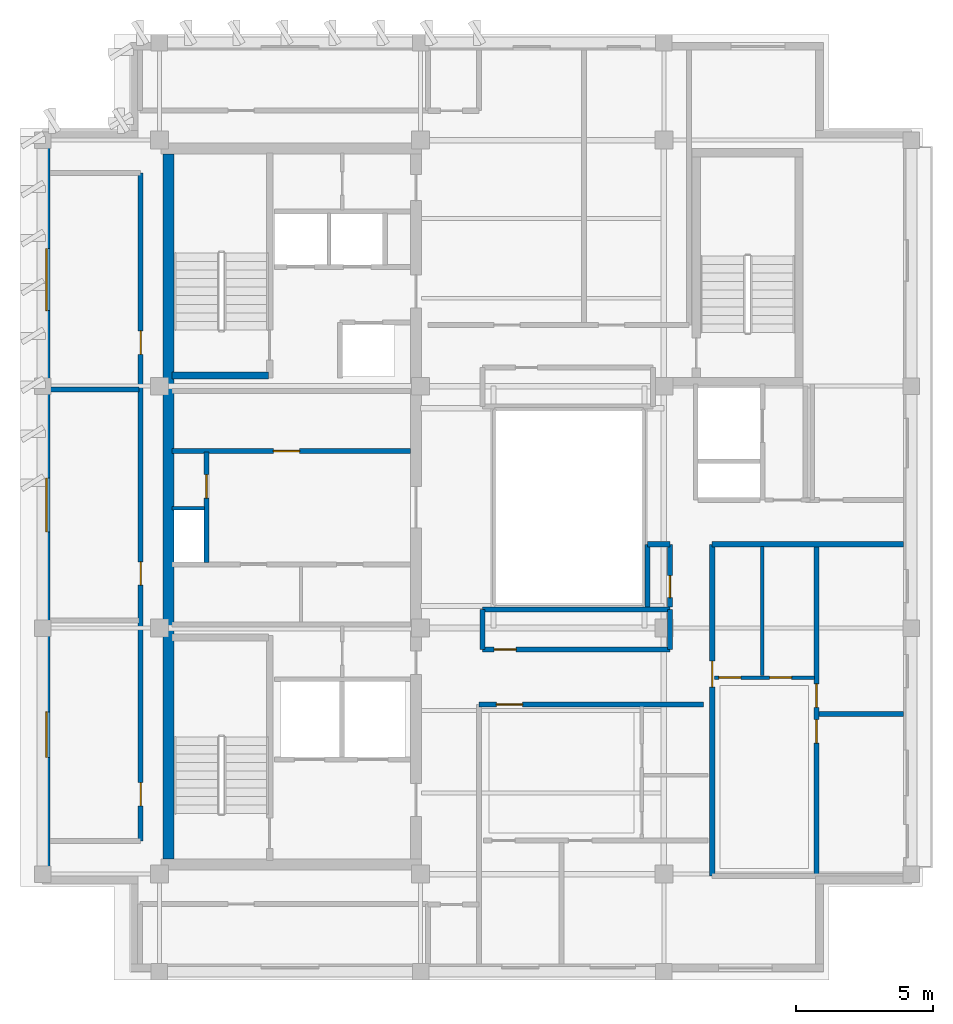
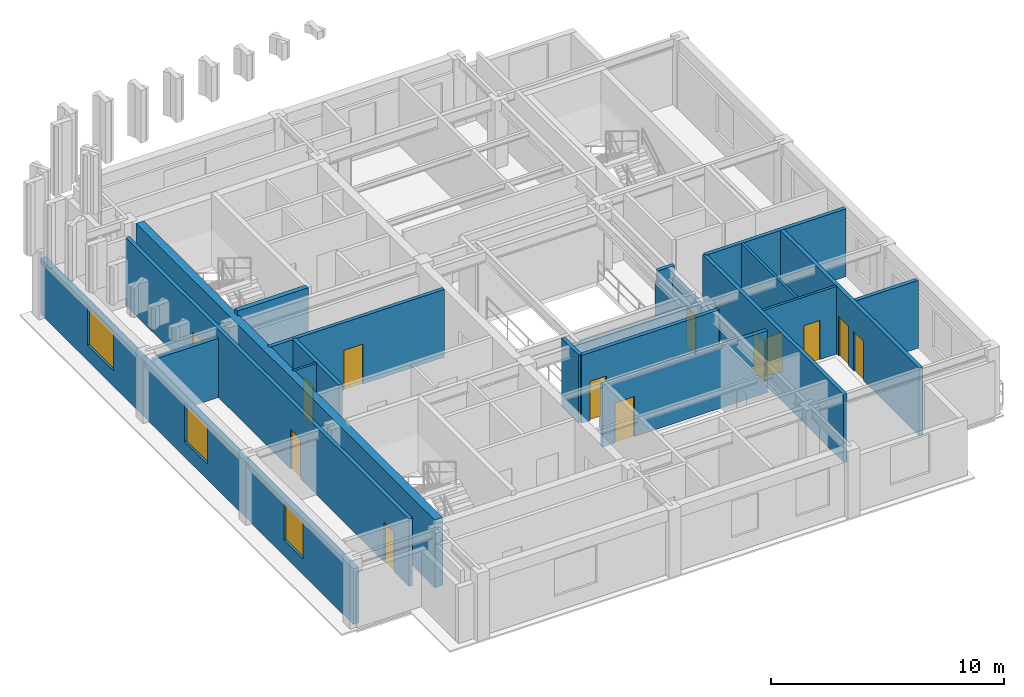
# One storey, part 3 of 9: 22 walls, 13 doors, 3 windows, 16 openings.
"""IFC4 building model written with IfcOpenShell, lengths in metres."""

from ifc_helpers import new_model, si_unit, direction, frame, frame_2d, origin, place, context, subcontext, project, spatial, rectangle, extrude, material, layer, layer_set, type_object, element, fill, save


model = new_model("IFC4")

# Units and contexts
model_context = context("Model", 3, precision=1e-05, world=origin(), true_north=direction((0.0, 1.0)))
body_context = subcontext(model_context, "Body", "Model", "MODEL_VIEW")
ifc_project = project(units=[si_unit("LENGTHUNIT", "METRE"), si_unit("AREAUNIT", "SQUARE_METRE"), si_unit("VOLUMEUNIT", "CUBIC_METRE"), si_unit("PLANEANGLEUNIT", "RADIAN"), si_unit("MASSUNIT", "GRAM", prefix="KILO")], contexts=[model_context])

# Site, building, storey
site_placement = place(None, origin())
site = spatial("IfcSite", under=ifc_project, at=site_placement, CompositionType="ELEMENT")
building_placement = place(site_placement, origin())
building = spatial("IfcBuilding", under=site, at=building_placement, Name="Kundavana Baori Tower", CompositionType="ELEMENT")
storey_placement = place(building_placement, frame((0.0, 0.0, 342.89990234375)))
storey = spatial("IfcBuildingStorey", under=building, at=storey_placement, Name="L85", CompositionType="ELEMENT", Elevation=342.89990234375)

# Walls
ifc_material_1 = material(Name="Concrete C50/60", Category="concrete")
ifc_layer_1 = layer(ifc_material_1, 0.39990234375, Name="WL-CORE-400")
ifc_layer_set_1 = layer_set([ifc_layer_1], Name="Concrete C50/60")
wall_type_1 = type_object("IfcWallType", Name="WL-CORE-400", PredefinedType="SHEAR", material=ifc_layer_set_1)
wall_1_placement = place(storey_placement, frame((15.7900390625, 15.81005859375, 0.0), z_axis=(0.0, 0.0, 1.0), x_axis=(0.0, 1.0, 0.0)))
element("IfcWall", 1, at=wall_1_placement, inside=storey, type_object=wall_type_1, Name="L85 Offset Core West Shear Wall", PredefinedType="SHEAR", context=body_context, shape_type="SweptSolid", body=[
    extrude(rectangle(XDim=25.6298828125, YDim=0.39990234375, at=frame_2d((12.81494140625, 0.0))), origin(), (0.0, 0.0, 1.0), 3.550048828125),
])
wall_2_placement = place(storey_placement, frame((15.89990234375, 33.389892578125, 0.0), z_axis=(0.0, 0.0, 1.0), x_axis=(1.0, 0.0, 0.0)))
element("IfcWall", 2, at=wall_2_placement, inside=storey, type_object=wall_type_1, Name="WL-L85-ST2-S", PredefinedType="SHEAR", context=body_context, shape_type="SweptSolid", body=[
    extrude(rectangle(XDim=3.52001953125, YDim=0.239990234375, at=frame_2d((1.760009765625, 0.0))), origin(), (0.0, 0.0, 1.0), 3.800048828125),
])

# Wall, openings, windows
ifc_material_2 = material(Name="Red-Buff Dholpur Sandstone Cladding on Concrete C40/50", Category="masonry")
ifc_layer_2 = layer(ifc_material_2, 0.280029296875, Name="WL-EXT-SAND-280")
ifc_layer_set_2 = layer_set([ifc_layer_2], Name="Red-Buff Dholpur Sandstone Cladding on Concrete C40/50")
wall_type_2 = type_object("IfcWallType", Name="WL-EXT-SAND-280", PredefinedType="STANDARD", material=ifc_layer_set_2)
wall_3_placement = place(storey_placement, frame((11.340087890625, 42.02001953125, 0.0), z_axis=(0.0, 0.0, 1.0), x_axis=(0.0, -1.0, 0.0)))
wall_3 = element("IfcWall", 3, at=wall_3_placement, inside=storey, type_object=wall_type_2, Name="L85 Exterior Insulated Facade Wall 10", PredefinedType="STANDARD", context=body_context, shape_type="SweptSolid", body=[
    extrude(rectangle(XDim=26.840087890625, YDim=0.280029296875, at=frame_2d((13.419921875, 0.0))), origin(), (0.0, 0.0, 1.0), 2.91015625),
])
opening_1_placement = place(wall_3_placement, frame((20.8701171875, 0.0, 0.800048828125)))
opening_1 = element("IfcOpeningElement", 4, at=opening_1_placement, cuts=wall_3, Name="Opening W-08", PredefinedType="OPENING", context=body_context, shape_type="SweptSolid", body=[
    extrude(rectangle(XDim=1.64990234375, YDim=1.949951171875, at=frame_2d((0.824951171875, 0.97509765625))), frame((0.0, 0.14990234375, 0.0), z_axis=(0.0, -1.0, 0.0), x_axis=(1.0, 0.0, 0.0)), (0.0, 0.0, 1.0), 0.300048828125),
])
opening_2_placement = place(wall_3_placement, frame((12.364990234375, 0.0, 0.800048828125)))
opening_2 = element("IfcOpeningElement", 5, at=opening_2_placement, cuts=wall_3, Name="Opening W-09", PredefinedType="OPENING", context=body_context, shape_type="SweptSolid", body=[
    extrude(rectangle(XDim=1.949951171875, YDim=2.0, at=frame_2d((0.97509765625, 1.0))), frame((0.0, 0.14990234375, 0.0), z_axis=(0.0, -1.0, 0.0), x_axis=(1.0, 0.0, 0.0)), (0.0, 0.0, 1.0), 0.300048828125),
])
opening_3_placement = place(wall_3_placement, frame((4.02001953125, 0.0, 0.800048828125)))
opening_3 = element("IfcOpeningElement", 6, at=opening_3_placement, cuts=wall_3, Name="Opening W-10", PredefinedType="OPENING", context=body_context, shape_type="SweptSolid", body=[
    extrude(rectangle(XDim=2.25, YDim=2.0, at=frame_2d((1.125, 1.0))), frame((0.0, 0.14990234375, 0.0), z_axis=(0.0, -1.0, 0.0), x_axis=(1.0, 0.0, 0.0)), (0.0, 0.0, 1.0), 0.300048828125),
])
ifc_material_3 = material(Name="Double-Glazed Solar-Control Low-E Insulated Glass", Category="glass")
window_type_1 = type_object("IfcWindowType", Name="WIN-LOG-1650x1950", PartitioningType="SINGLE_PANEL", PredefinedType="WINDOW", material=ifc_material_3)
window_1_placement = place(opening_1_placement, origin())
window_1 = element("IfcWindow", 7, at=window_1_placement, inside=storey, type_object=window_type_1, Name="L85 Recessed Loggia Window W-1", OverallHeight=1.949951171875, OverallWidth=1.64990234375, PartitioningType="SINGLE_PANEL", PredefinedType="WINDOW", context=body_context, shape_type="SweptSolid", body=[
    extrude(rectangle(XDim=1.64990234375, YDim=1.949951171875, at=frame_2d((0.824951171875, 0.97509765625))), frame((0.0, 0.030029296875, 0.0), z_axis=(0.0, -1.0, 0.0), x_axis=(1.0, 0.0, 0.0)), (0.0, 0.0, 1.0), 0.06005859375),
])
fill(opening_1, window_1)
ifc_material_4 = material(Name="Double-Glazed Solar-Control Low-E Insulated Glass", Category="glass")
window_type_2 = type_object("IfcWindowType", Name="WIN-LOG-1950x2000", PartitioningType="SINGLE_PANEL", PredefinedType="WINDOW", material=ifc_material_4)
window_2_placement = place(opening_2_placement, origin())
window_2 = element("IfcWindow", 8, at=window_2_placement, inside=storey, type_object=window_type_2, Name="L85 Recessed Loggia Window W-2", OverallHeight=2.0, OverallWidth=1.949951171875, PartitioningType="SINGLE_PANEL", PredefinedType="WINDOW", context=body_context, shape_type="SweptSolid", body=[
    extrude(rectangle(XDim=1.949951171875, YDim=2.0, at=frame_2d((0.97509765625, 1.0))), frame((0.0, 0.030029296875, 0.0), z_axis=(0.0, -1.0, 0.0), x_axis=(1.0, 0.0, 0.0)), (0.0, 0.0, 1.0), 0.06005859375),
])
fill(opening_2, window_2)
ifc_material_5 = material(Name="Double-Glazed Solar-Control Low-E Insulated Glass", Category="glass")
window_type_3 = type_object("IfcWindowType", Name="WIN-LOG-2250x2000", PartitioningType="SINGLE_PANEL", PredefinedType="WINDOW", material=ifc_material_5)
window_3_placement = place(opening_3_placement, origin())
window_3 = element("IfcWindow", 9, at=window_3_placement, inside=storey, type_object=window_type_3, Name="L85 Recessed Loggia Window W-3", OverallHeight=2.0, OverallWidth=2.25, PartitioningType="SINGLE_PANEL", PredefinedType="WINDOW", context=body_context, shape_type="SweptSolid", body=[
    extrude(rectangle(XDim=2.25, YDim=2.0, at=frame_2d((1.125, 1.0))), frame((0.0, 0.030029296875, 0.0), z_axis=(0.0, -1.0, 0.0), x_axis=(1.0, 0.0, 0.0)), (0.0, 0.0, 1.0), 0.06005859375),
])
fill(opening_3, window_3)

# Wall
ifc_material_6 = material(Name="Acoustic Gypsum Plasterboard on Galvanised Steel Studs", Category="steel")
ifc_layer_3 = layer(ifc_material_6, 0.1201171875, Name="WL-PART-120")
ifc_layer_set_3 = layer_set([ifc_layer_3], Name="Acoustic Gypsum Plasterboard on Galvanised Steel Studs")
wall_type_3 = type_object("IfcWallType", Name="WL-PART-120", PredefinedType="PARTITIONING", material=ifc_layer_set_3)
wall_4_placement = place(storey_placement, frame((15.89990234375, 28.56005859375, 0.0), z_axis=(0.0, 0.0, 1.0), x_axis=(1.0, 0.0, 0.0)))
element("IfcWall", 10, at=wall_4_placement, inside=storey, type_object=wall_type_3, Name="WL-L85-RSRW-N", PredefinedType="PARTITIONING", context=body_context, shape_type="SweptSolid", body=[
    extrude(rectangle(XDim=1.2001953125, YDim=0.1201171875, at=frame_2d((0.60009765625, 0.0))), origin(), (0.0, 0.0, 1.0), 3.550048828125),
])

# Wall, opening, door
ifc_material_7 = material(Name="Autoclaved Aerated Concrete Blockwork Masonry", Category="masonry")
ifc_layer_4 = layer(ifc_material_7, 0.18505859375, Name="WL-PART-180")
ifc_layer_set_4 = layer_set([ifc_layer_4], Name="Autoclaved Aerated Concrete Blockwork Masonry")
wall_type_4 = type_object("IfcWallType", Name="WL-PART-180", PredefinedType="SOLIDWALL", material=ifc_layer_set_4)
wall_5_placement = place(storey_placement, frame((27.080078125, 21.419921875, 0.0), z_axis=(0.0, 0.0, 1.0), x_axis=(1.0, 0.0, 0.0)))
wall_5 = element("IfcWall", 11, at=wall_5_placement, inside=storey, type_object=wall_type_4, Name="WL-L85-RS", PredefinedType="SOLIDWALL", context=body_context, shape_type="SweptSolid", body=[
    extrude(rectangle(XDim=8.169921875, YDim=0.18505859375, at=frame_2d((4.0849609375, 0.0))), origin(), (0.0, 0.0, 1.0), 3.25),
])
opening_4_placement = place(wall_5_placement, frame((0.6298828125, 0.0, 0.0)))
opening_4 = element("IfcOpeningElement", 12, at=opening_4_placement, cuts=wall_5, Name="Opening FD-095", PredefinedType="OPENING", context=body_context, shape_type="SweptSolid", body=[
    extrude(rectangle(XDim=0.949951171875, YDim=2.10009765625, at=frame_2d((0.47509765625, 1.050048828125))), frame((0.0, 0.1025390625, 0.0), z_axis=(0.0, -1.0, 0.0), x_axis=(1.0, 0.0, 0.0)), (0.0, 0.0, 1.0), 0.205078125),
])
ifc_material_8 = material(Name="Engineered Teak Fire-Rated Timber Door Leaf", Category="wood")
door_type_1 = type_object("IfcDoorType", Name="DR-FD60-950", OperationType="NOTDEFINED", PredefinedType="DOOR", material=ifc_material_8)
door_1_placement = place(opening_4_placement, frame((0.949951171875, 0.0, 0.0), z_axis=(0.0, 0.0, 1.0), x_axis=(-1.0, 0.0, 0.0)))
door_1 = element("IfcDoor", 13, at=door_1_placement, inside=storey, type_object=door_type_1, Name="DR-L85-S1-ENT", OperationType="SINGLE_SWING_RIGHT", OverallHeight=2.10009765625, OverallWidth=0.949951171875, PredefinedType="DOOR", context=body_context, shape_type="SweptSolid", body=[
    extrude(rectangle(XDim=0.949951171875, YDim=2.10009765625, at=frame_2d((0.47509765625, 1.050048828125))), frame((0.0, 0.02490234375, 0.0), z_axis=(0.0, -1.0, 0.0), x_axis=(1.0, 0.0, 0.0)), (0.0, 0.0, 1.0), 0.050048828125),
])
fill(opening_4, door_1)

# Wall, openings, doors
wall_6_placement = place(storey_placement, frame((14.77001953125, 16.449951171875, 0.0), z_axis=(0.0, 0.0, 1.0), x_axis=(0.0, 1.0, 0.0)))
wall_6 = element("IfcWall", 14, at=wall_6_placement, inside=storey, type_object=wall_type_4, Name="WL-L85-RW", PredefinedType="SOLIDWALL", context=body_context, shape_type="SweptSolid", body=[
    extrude(rectangle(XDim=24.300048828125, YDim=0.18505859375, at=frame_2d((12.14990234375, 0.0))), origin(), (0.0, 0.0, 1.0), 3.550048828125),
])
opening_5_placement = place(wall_6_placement, frame((1.280029296875, 0.0, 0.0)))
opening_5 = element("IfcOpeningElement", 15, at=opening_5_placement, cuts=wall_6, Name="Opening ID-085", PredefinedType="OPENING", context=body_context, shape_type="SweptSolid", body=[
    extrude(rectangle(XDim=0.85009765625, YDim=2.080078125, at=frame_2d((0.425048828125, 1.0400390625))), frame((0.0, 0.1025390625, 0.0), z_axis=(0.0, -1.0, 0.0), x_axis=(1.0, 0.0, 0.0)), (0.0, 0.0, 1.0), 0.205078125),
])
opening_6_placement = place(wall_6_placement, frame((9.31005859375, 0.0, 0.0)))
opening_6 = element("IfcOpeningElement", 16, at=opening_6_placement, cuts=wall_6, Name="Opening ID-085", PredefinedType="OPENING", context=body_context, shape_type="SweptSolid", body=[
    extrude(rectangle(XDim=0.85009765625, YDim=2.080078125, at=frame_2d((0.425048828125, 1.0400390625))), frame((0.0, 0.1025390625, 0.0), z_axis=(0.0, -1.0, 0.0), x_axis=(1.0, 0.0, 0.0)), (0.0, 0.0, 1.0), 0.205078125),
])
opening_7_placement = place(wall_6_placement, frame((17.7099609375, 0.0, 0.0)))
opening_7 = element("IfcOpeningElement", 17, at=opening_7_placement, cuts=wall_6, Name="Opening ID-085", PredefinedType="OPENING", context=body_context, shape_type="SweptSolid", body=[
    extrude(rectangle(XDim=0.85009765625, YDim=2.080078125, at=frame_2d((0.425048828125, 1.0400390625))), frame((0.0, 0.1025390625, 0.0), z_axis=(0.0, -1.0, 0.0), x_axis=(1.0, 0.0, 0.0)), (0.0, 0.0, 1.0), 0.205078125),
])
ifc_material_9 = material(Name="Engineered Teak Solid-Core Timber Veneer", Category="wood")
door_type_2 = type_object("IfcDoorType", Name="DR-INT-850", OperationType="NOTDEFINED", PredefinedType="DOOR", material=ifc_material_9)
door_2_placement = place(opening_5_placement, origin())
door_2 = element("IfcDoor", 18, at=door_2_placement, inside=storey, type_object=door_type_2, Name="DR-L85-RLNGW1", OperationType="SINGLE_SWING_LEFT", OverallHeight=2.080078125, OverallWidth=0.85009765625, PredefinedType="DOOR", context=body_context, shape_type="SweptSolid", body=[
    extrude(rectangle(XDim=0.85009765625, YDim=2.080078125, at=frame_2d((0.425048828125, 1.0400390625))), frame((0.0, 0.02490234375, 0.0), z_axis=(0.0, -1.0, 0.0), x_axis=(1.0, 0.0, 0.0)), (0.0, 0.0, 1.0), 0.050048828125),
])
fill(opening_5, door_2)
door_3_placement = place(opening_6_placement, origin())
door_3 = element("IfcDoor", 19, at=door_3_placement, inside=storey, type_object=door_type_2, Name="DR-L85-RLNGW2", OperationType="SINGLE_SWING_LEFT", OverallHeight=2.080078125, OverallWidth=0.85009765625, PredefinedType="DOOR", context=body_context, shape_type="SweptSolid", body=[
    extrude(rectangle(XDim=0.85009765625, YDim=2.080078125, at=frame_2d((0.425048828125, 1.0400390625))), frame((0.0, 0.02490234375, 0.0), z_axis=(0.0, -1.0, 0.0), x_axis=(1.0, 0.0, 0.0)), (0.0, 0.0, 1.0), 0.050048828125),
])
fill(opening_6, door_3)
door_4_placement = place(opening_7_placement, origin())
door_4 = element("IfcDoor", 20, at=door_4_placement, inside=storey, type_object=door_type_2, Name="DR-L85-RLNGW3", OperationType="SINGLE_SWING_LEFT", OverallHeight=2.080078125, OverallWidth=0.85009765625, PredefinedType="DOOR", context=body_context, shape_type="SweptSolid", body=[
    extrude(rectangle(XDim=0.85009765625, YDim=2.080078125, at=frame_2d((0.425048828125, 1.0400390625))), frame((0.0, 0.02490234375, 0.0), z_axis=(0.0, -1.0, 0.0), x_axis=(1.0, 0.0, 0.0)), (0.0, 0.0, 1.0), 0.050048828125),
])
fill(opening_7, door_4)

# Wall
wall_7_placement = place(storey_placement, frame((11.47998046875, 32.8798828125, 0.0), z_axis=(0.0, 0.0, 1.0), x_axis=(1.0, 0.0, 0.0)))
element("IfcWall", 21, at=wall_7_placement, inside=storey, type_object=wall_type_4, Name="WL-L85-RWD85-3", PredefinedType="SOLIDWALL", context=body_context, shape_type="SweptSolid", body=[
    extrude(rectangle(XDim=3.22998046875, YDim=0.18505859375, at=frame_2d((1.614990234375, 0.0))), origin(), (0.0, 0.0, 1.0), 3.10009765625),
])

# Wall, opening, door
wall_8_placement = place(storey_placement, frame((35.56005859375, 15.179931640625, 0.0), z_axis=(0.0, 0.0, 1.0), x_axis=(0.0, 1.0, 0.0)))
wall_8 = element("IfcWall", 22, at=wall_8_placement, inside=storey, type_object=wall_type_4, Name="WL-L85-CSE", PredefinedType="SOLIDWALL", context=body_context, shape_type="SweptSolid", body=[
    extrude(rectangle(XDim=12.070068359375, YDim=0.18505859375, at=frame_2d((6.03515625, 0.0))), origin(), (0.0, 0.0, 1.0), 3.550048828125),
])
opening_8_placement = place(wall_8_placement, frame((6.8701171875, 0.0, 0.0)))
opening_8 = element("IfcOpeningElement", 23, at=opening_8_placement, cuts=wall_8, Name="Opening FD-095", PredefinedType="OPENING", context=body_context, shape_type="SweptSolid", body=[
    extrude(rectangle(XDim=0.949951171875, YDim=2.10009765625, at=frame_2d((0.47509765625, 1.050048828125))), frame((0.0, 0.1025390625, 0.0), z_axis=(0.0, -1.0, 0.0), x_axis=(1.0, 0.0, 0.0)), (0.0, 0.0, 1.0), 0.205078125),
])
door_5_placement = place(opening_8_placement, origin())
door_5 = element("IfcDoor", 24, at=door_5_placement, inside=storey, type_object=door_type_1, Name="DR-L85-SE1-ENT", OperationType="SINGLE_SWING_LEFT", OverallHeight=2.10009765625, OverallWidth=0.949951171875, PredefinedType="DOOR", context=body_context, shape_type="SweptSolid", body=[
    extrude(rectangle(XDim=0.949951171875, YDim=2.10009765625, at=frame_2d((0.47509765625, 1.050048828125))), frame((0.0, 0.02490234375, 0.0), z_axis=(0.0, -1.0, 0.0), x_axis=(1.0, 0.0, 0.0)), (0.0, 0.0, 1.0), 0.050048828125),
])
fill(opening_8, door_5)

# Wall
wall_9_placement = place(storey_placement, frame((35.56005859375, 27.25, 0.0), z_axis=(0.0, 0.0, 1.0), x_axis=(1.0, 0.0, 0.0)))
element("IfcWall", 25, at=wall_9_placement, inside=storey, type_object=wall_type_4, Name="WL-L85-CSEN", PredefinedType="SOLIDWALL", context=body_context, shape_type="SweptSolid", body=[
    extrude(rectangle(XDim=6.9599609375, YDim=0.18505859375, at=frame_2d((3.47998046875, 0.0))), origin(), (0.0, 0.0, 1.0), 3.550048828125),
])

# Wall, openings, doors
wall_10_placement = place(storey_placement, frame((39.35498046875, 15.260009765625, 0.0), z_axis=(0.0, 0.0, 1.0), x_axis=(0.0, 1.0, 0.0)))
wall_10 = element("IfcWall", 26, at=wall_10_placement, inside=storey, type_object=wall_type_4, Name="WL-L85-SE1-VT", PredefinedType="SOLIDWALL", context=body_context, shape_type="SweptSolid", body=[
    extrude(rectangle(XDim=11.909912109375, YDim=0.18505859375, at=frame_2d((5.955078125, 0.0))), origin(), (0.0, 0.0, 1.0), 3.550048828125),
])
opening_9_placement = place(wall_10_placement, frame((4.760009765625, 0.0, 0.0)))
opening_9 = element("IfcOpeningElement", 27, at=opening_9_placement, cuts=wall_10, Name="Opening ID-085", PredefinedType="OPENING", context=body_context, shape_type="SweptSolid", body=[
    extrude(rectangle(XDim=0.85009765625, YDim=2.080078125, at=frame_2d((0.425048828125, 1.0400390625))), frame((0.0, 0.1025390625, 0.0), z_axis=(0.0, -1.0, 0.0), x_axis=(1.0, 0.0, 0.0)), (0.0, 0.0, 1.0), 0.205078125),
])
opening_10_placement = place(wall_10_placement, frame((6.06005859375, 0.0, 0.0)))
opening_10 = element("IfcOpeningElement", 28, at=opening_10_placement, cuts=wall_10, Name="Opening ID-085", PredefinedType="OPENING", context=body_context, shape_type="SweptSolid", body=[
    extrude(rectangle(XDim=0.85009765625, YDim=2.080078125, at=frame_2d((0.425048828125, 1.0400390625))), frame((0.0, 0.1025390625, 0.0), z_axis=(0.0, -1.0, 0.0), x_axis=(1.0, 0.0, 0.0)), (0.0, 0.0, 1.0), 0.205078125),
])
door_6_placement = place(opening_9_placement, origin())
door_6 = element("IfcDoor", 29, at=door_6_placement, inside=storey, type_object=door_type_2, Name="DR-L85-SE1-B1", OperationType="SINGLE_SWING_LEFT", OverallHeight=2.080078125, OverallWidth=0.85009765625, PredefinedType="DOOR", context=body_context, shape_type="SweptSolid", body=[
    extrude(rectangle(XDim=0.85009765625, YDim=2.080078125, at=frame_2d((0.425048828125, 1.0400390625))), frame((0.0, 0.02490234375, 0.0), z_axis=(0.0, -1.0, 0.0), x_axis=(1.0, 0.0, 0.0)), (0.0, 0.0, 1.0), 0.050048828125),
])
fill(opening_9, door_6)
door_7_placement = place(opening_10_placement, origin())
door_7 = element("IfcDoor", 30, at=door_7_placement, inside=storey, type_object=door_type_2, Name="DR-L85-SE1-B2", OperationType="SINGLE_SWING_RIGHT", OverallHeight=2.080078125, OverallWidth=0.85009765625, PredefinedType="DOOR", context=body_context, shape_type="SweptSolid", body=[
    extrude(rectangle(XDim=0.85009765625, YDim=2.080078125, at=frame_2d((0.425048828125, 1.0400390625))), frame((0.0, 0.02490234375, 0.0), z_axis=(0.0, -1.0, 0.0), x_axis=(1.0, 0.0, 0.0)), (0.0, 0.0, 1.0), 0.050048828125),
])
fill(opening_10, door_7)

# Wall
wall_11_placement = place(storey_placement, frame((39.43505859375, 21.070068359375, 0.0), z_axis=(0.0, 0.0, 1.0), x_axis=(1.0, 0.0, 0.0)))
element("IfcWall", 31, at=wall_11_placement, inside=storey, type_object=wall_type_4, Name="WL-L85-SE1-BDH", PredefinedType="SOLIDWALL", context=body_context, shape_type="SweptSolid", body=[
    extrude(rectangle(XDim=3.0849609375, YDim=0.18505859375, at=frame_2d((1.54248046875, 0.0))), origin(), (0.0, 0.0, 1.0), 3.550048828125),
])

# Wall, opening, door
wall_12_placement = place(storey_placement, frame((27.199951171875, 23.419921875, 0.0), z_axis=(0.0, 0.0, 1.0), x_axis=(1.0, 0.0, 0.0)))
wall_12 = element("IfcWall", 32, at=wall_12_placement, inside=storey, type_object=wall_type_4, Name="WL-L85-ALS", PredefinedType="SOLIDWALL", context=body_context, shape_type="SweptSolid", body=[
    extrude(rectangle(XDim=6.820068359375, YDim=0.18505859375, at=frame_2d((3.41015625, 0.0))), origin(), (0.0, 0.0, 1.0), 3.550048828125),
])
opening_11_placement = place(wall_12_placement, frame((0.429931640625, 0.0, 0.0)))
opening_11 = element("IfcOpeningElement", 33, at=opening_11_placement, cuts=wall_12, Name="Opening WD-080", PredefinedType="OPENING", context=body_context, shape_type="SweptSolid", body=[
    extrude(rectangle(XDim=0.800048828125, YDim=2.050048828125, at=frame_2d((0.39990234375, 1.02490234375))), frame((0.0, 0.1025390625, 0.0), z_axis=(0.0, -1.0, 0.0), x_axis=(1.0, 0.0, 0.0)), (0.0, 0.0, 1.0), 0.205078125),
])
ifc_material_10 = material(Name="Engineered Teak Solid-Core Timber Veneer", Category="wood")
door_type_3 = type_object("IfcDoorType", Name="DR-WET-800", OperationType="NOTDEFINED", PredefinedType="DOOR", material=ifc_material_10)
door_8_placement = place(opening_11_placement, origin())
door_8 = element("IfcDoor", 34, at=door_8_placement, inside=storey, type_object=door_type_3, Name="DR-L85-RALC1", OperationType="SINGLE_SWING_LEFT", OverallHeight=2.050048828125, OverallWidth=0.800048828125, PredefinedType="DOOR", context=body_context, shape_type="SweptSolid", body=[
    extrude(rectangle(XDim=0.800048828125, YDim=2.050048828125, at=frame_2d((0.39990234375, 1.02490234375))), frame((0.0, 0.02490234375, 0.0), z_axis=(0.0, -1.0, 0.0), x_axis=(1.0, 0.0, 0.0)), (0.0, 0.0, 1.0), 0.050048828125),
])
fill(opening_11, door_8)

# Walls
wall_13_placement = place(storey_placement, frame((27.199951171875, 24.8798828125, 0.0), z_axis=(0.0, 0.0, 1.0), x_axis=(1.0, 0.0, 0.0)))
element("IfcWall", 35, at=wall_13_placement, inside=storey, type_object=wall_type_4, Name="WL-L85-ALN", PredefinedType="SOLIDWALL", context=body_context, shape_type="SweptSolid", body=[
    extrude(rectangle(XDim=6.820068359375, YDim=0.18505859375, at=frame_2d((3.41015625, 0.0))), origin(), (0.0, 0.0, 1.0), 3.0),
])
wall_14_placement = place(storey_placement, frame((27.199951171875, 23.419921875, 0.0), z_axis=(0.0, 0.0, 1.0), x_axis=(0.0, 1.0, 0.0)))
element("IfcWall", 36, at=wall_14_placement, inside=storey, type_object=wall_type_4, Name="WL-L85-ALW", PredefinedType="SOLIDWALL", context=body_context, shape_type="SweptSolid", body=[
    extrude(rectangle(XDim=1.4599609375, YDim=0.18505859375, at=frame_2d((0.72998046875, 0.0))), origin(), (0.0, 0.0, 1.0), 3.550048828125),
])
wall_15_placement = place(storey_placement, frame((34.02001953125, 23.419921875, 0.0), z_axis=(0.0, 0.0, 1.0), x_axis=(0.0, 1.0, 0.0)))
element("IfcWall", 37, at=wall_15_placement, inside=storey, type_object=wall_type_4, Name="WL-L85-ALE", PredefinedType="SOLIDWALL", context=body_context, shape_type="SweptSolid", body=[
    extrude(rectangle(XDim=1.4599609375, YDim=0.18505859375, at=frame_2d((0.72998046875, 0.0))), origin(), (0.0, 0.0, 1.0), 2.9501953125),
])
wall_16_placement = place(storey_placement, frame((33.199951171875, 24.9599609375, 0.0), z_axis=(0.0, 0.0, 1.0), x_axis=(0.0, 1.0, 0.0)))
element("IfcWall", 38, at=wall_16_placement, inside=storey, type_object=wall_type_4, Name="WL-L85-CEAW", PredefinedType="SOLIDWALL", context=body_context, shape_type="SweptSolid", body=[
    extrude(rectangle(XDim=2.2900390625, YDim=0.18505859375, at=frame_2d((1.14501953125, 0.0))), origin(), (0.0, 0.0, 1.0), 3.0),
])

# Wall, opening, door
wall_17_placement = place(storey_placement, frame((34.02001953125, 24.9599609375, 0.0), z_axis=(0.0, 0.0, 1.0), x_axis=(0.0, 1.0, 0.0)))
wall_17 = element("IfcWall", 39, at=wall_17_placement, inside=storey, type_object=wall_type_4, Name="WL-L85-CEAE", PredefinedType="SOLIDWALL", context=body_context, shape_type="SweptSolid", body=[
    extrude(rectangle(XDim=2.2900390625, YDim=0.18505859375, at=frame_2d((1.14501953125, 0.0))), origin(), (0.0, 0.0, 1.0), 2.9501953125),
])
opening_12_placement = place(wall_17_placement, frame((0.35009765625, 0.0, 0.0)))
opening_12 = element("IfcOpeningElement", 40, at=opening_12_placement, cuts=wall_17, Name="Opening WD-080", PredefinedType="OPENING", context=body_context, shape_type="SweptSolid", body=[
    extrude(rectangle(XDim=0.800048828125, YDim=2.050048828125, at=frame_2d((0.39990234375, 1.02490234375))), frame((0.0, 0.1025390625, 0.0), z_axis=(0.0, -1.0, 0.0), x_axis=(1.0, 0.0, 0.0)), (0.0, 0.0, 1.0), 0.205078125),
])
door_9_placement = place(opening_12_placement, origin())
door_9 = element("IfcDoor", 41, at=door_9_placement, inside=storey, type_object=door_type_3, Name="DR-L85-CSTE", OperationType="SINGLE_SWING_LEFT", OverallHeight=2.050048828125, OverallWidth=0.800048828125, PredefinedType="DOOR", context=body_context, shape_type="SweptSolid", body=[
    extrude(rectangle(XDim=0.800048828125, YDim=2.050048828125, at=frame_2d((0.39990234375, 1.02490234375))), frame((0.0, 0.02490234375, 0.0), z_axis=(0.0, -1.0, 0.0), x_axis=(1.0, 0.0, 0.0)), (0.0, 0.0, 1.0), 0.050048828125),
])
fill(opening_12, door_9)

# Wall
wall_18_placement = place(storey_placement, frame((33.199951171875, 27.25, 0.0), z_axis=(0.0, 0.0, 1.0), x_axis=(1.0, 0.0, 0.0)))
element("IfcWall", 42, at=wall_18_placement, inside=storey, type_object=wall_type_4, Name="WL-L85-CEAN", PredefinedType="SOLIDWALL", context=body_context, shape_type="SweptSolid", body=[
    extrude(rectangle(XDim=0.820068359375, YDim=0.18505859375, at=frame_2d((0.41015625, 0.0))), origin(), (0.0, 0.0, 1.0), 3.550048828125),
])

# Wall, opening, door
ifc_material_11 = material(Name="Autoclaved Aerated Concrete Blockwork Masonry", Category="masonry")
ifc_layer_5 = layer(ifc_material_11, 0.179931640625, Name="WL-SHAFT-180")
ifc_layer_set_5 = layer_set([ifc_layer_5], Name="Autoclaved Aerated Concrete Blockwork Masonry")
wall_type_5 = type_object("IfcWallType", Name="WL-SHAFT-180", PredefinedType="SOLIDWALL", material=ifc_layer_set_5)
wall_19_placement = place(storey_placement, frame((17.159912109375, 26.580078125, 0.0), z_axis=(0.0, 0.0, 1.0), x_axis=(0.0, 1.0, 0.0)))
wall_19 = element("IfcWall", 43, at=wall_19_placement, inside=storey, type_object=wall_type_5, Name="WL-L85-RSRW-E", PredefinedType="SOLIDWALL", context=body_context, shape_type="SweptSolid", body=[
    extrude(rectangle(XDim=4.02001953125, YDim=0.179931640625, at=frame_2d((2.010009765625, 0.0))), origin(), (0.0, 0.0, 1.0), 3.550048828125),
])
opening_13_placement = place(wall_19_placement, frame((2.35009765625, 0.0, 0.0)))
opening_13 = element("IfcOpeningElement", 44, at=opening_13_placement, cuts=wall_19, Name="Opening FD-085", PredefinedType="OPENING", context=body_context, shape_type="SweptSolid", body=[
    extrude(rectangle(XDim=0.85009765625, YDim=2.06005859375, at=frame_2d((0.425048828125, 1.030029296875))), frame((0.0, 0.10009765625, 0.0), z_axis=(0.0, -1.0, 0.0), x_axis=(1.0, 0.0, 0.0)), (0.0, 0.0, 1.0), 0.199951171875),
])
ifc_material_12 = material(Name="Galvanised Steel Fire-Rated Door Leaf", Category="steel")
door_type_4 = type_object("IfcDoorType", Name="DR-FD60-850", OperationType="NOTDEFINED", PredefinedType="DOOR", material=ifc_material_12)
door_10_placement = place(opening_13_placement, origin())
door_10 = element("IfcDoor", 45, at=door_10_placement, inside=storey, type_object=door_type_4, Name="DR-L85-CLN", OperationType="SINGLE_SWING_RIGHT", OverallHeight=2.06005859375, OverallWidth=0.85009765625, PredefinedType="DOOR", context=body_context, shape_type="SweptSolid", body=[
    extrude(rectangle(XDim=0.85009765625, YDim=2.06005859375, at=frame_2d((0.425048828125, 1.030029296875))), frame((0.0, 0.02490234375, 0.0), z_axis=(0.0, -1.0, 0.0), x_axis=(1.0, 0.0, 0.0)), (0.0, 0.0, 1.0), 0.050048828125),
])
fill(opening_13, door_10)

wall_20_placement = place(storey_placement, frame((15.89990234375, 30.639892578125, 0.0), z_axis=(0.0, 0.0, 1.0), x_axis=(1.0, 0.0, 0.0)))
wall_20 = element("IfcWall", 46, at=wall_20_placement, inside=storey, type_object=wall_type_5, Name="WL-L85-LPMID-S", PredefinedType="SOLIDWALL", context=body_context, shape_type="SweptSolid", body=[
    extrude(rectangle(XDim=8.68017578125, YDim=0.179931640625, at=frame_2d((4.340087890625, 0.0))), origin(), (0.0, 0.0, 1.0), 3.550048828125),
])
opening_14_placement = place(wall_20_placement, frame((3.699951171875, 0.0, 0.0)))
opening_14 = element("IfcOpeningElement", 47, at=opening_14_placement, cuts=wall_20, Name="Opening FD-095", PredefinedType="OPENING", context=body_context, shape_type="SweptSolid", body=[
    extrude(rectangle(XDim=0.949951171875, YDim=2.10009765625, at=frame_2d((0.47509765625, 1.050048828125))), frame((0.0, 0.10009765625, 0.0), z_axis=(0.0, -1.0, 0.0), x_axis=(1.0, 0.0, 0.0)), (0.0, 0.0, 1.0), 0.199951171875),
])
door_11_placement = place(opening_14_placement, frame((0.949951171875, 0.0, 0.0), z_axis=(0.0, 0.0, 1.0), x_axis=(-1.0, 0.0, 0.0)))
door_11 = element("IfcDoor", 48, at=door_11_placement, inside=storey, type_object=door_type_1, Name="DR-L85-FRMID1", OperationType="SINGLE_SWING_RIGHT", OverallHeight=2.10009765625, OverallWidth=0.949951171875, PredefinedType="DOOR", context=body_context, shape_type="SweptSolid", body=[
    extrude(rectangle(XDim=0.949951171875, YDim=2.10009765625, at=frame_2d((0.47509765625, 1.050048828125))), frame((0.0, 0.02490234375, 0.0), z_axis=(0.0, -1.0, 0.0), x_axis=(1.0, 0.0, 0.0)), (0.0, 0.0, 1.0), 0.050048828125),
])
fill(opening_14, door_11)

# Wall, openings, doors
ifc_material_13 = material(Name="Autoclaved Aerated Concrete Blockwork Masonry", Category="masonry")
ifc_layer_6 = layer(ifc_material_13, 0.125, Name="WL-WET-120")
ifc_layer_set_6 = layer_set([ifc_layer_6], Name="Autoclaved Aerated Concrete Blockwork Masonry")
wall_type_6 = type_object("IfcWallType", Name="WL-WET-120", PredefinedType="PLUMBINGWALL", material=ifc_layer_set_6)
wall_21_placement = place(storey_placement, frame((35.639892578125, 22.39990234375, 0.0), z_axis=(0.0, 0.0, 1.0), x_axis=(1.0, 0.0, 0.0)))
wall_21 = element("IfcWall", 49, at=wall_21_placement, inside=storey, type_object=wall_type_6, Name="WL-L85-SE1-KH", PredefinedType="PLUMBINGWALL", context=body_context, shape_type="SweptSolid", body=[
    extrude(rectangle(XDim=3.635009765625, YDim=0.125, at=frame_2d((1.8173828125, 0.0))), origin(), (0.0, 0.0, 1.0), 3.550048828125),
])
opening_15_placement = place(wall_21_placement, frame((0.159912109375, 0.0, 0.0)))
opening_15 = element("IfcOpeningElement", 50, at=opening_15_placement, cuts=wall_21, Name="Opening WD-080", PredefinedType="OPENING", context=body_context, shape_type="SweptSolid", body=[
    extrude(rectangle(XDim=0.800048828125, YDim=2.050048828125, at=frame_2d((0.39990234375, 1.02490234375))), frame((0.0, 0.072509765625, 0.0), z_axis=(0.0, -1.0, 0.0), x_axis=(1.0, 0.0, 0.0)), (0.0, 0.0, 1.0), 0.14501953125),
])
opening_16_placement = place(wall_21_placement, frame((2.0048828125, 0.0, 0.0)))
opening_16 = element("IfcOpeningElement", 51, at=opening_16_placement, cuts=wall_21, Name="Opening WD-080", PredefinedType="OPENING", context=body_context, shape_type="SweptSolid", body=[
    extrude(rectangle(XDim=0.800048828125, YDim=2.050048828125, at=frame_2d((0.39990234375, 1.02490234375))), frame((0.0, 0.072509765625, 0.0), z_axis=(0.0, -1.0, 0.0), x_axis=(1.0, 0.0, 0.0)), (0.0, 0.0, 1.0), 0.14501953125),
])
door_12_placement = place(opening_15_placement, origin())
door_12 = element("IfcDoor", 52, at=door_12_placement, inside=storey, type_object=door_type_3, Name="DR-L85-SE1-BT", OperationType="SINGLE_SWING_LEFT", OverallHeight=2.050048828125, OverallWidth=0.800048828125, PredefinedType="DOOR", context=body_context, shape_type="SweptSolid", body=[
    extrude(rectangle(XDim=0.800048828125, YDim=2.050048828125, at=frame_2d((0.39990234375, 1.02490234375))), frame((0.0, 0.02490234375, 0.0), z_axis=(0.0, -1.0, 0.0), x_axis=(1.0, 0.0, 0.0)), (0.0, 0.0, 1.0), 0.050048828125),
])
fill(opening_15, door_12)
door_13_placement = place(opening_16_placement, origin())
door_13 = element("IfcDoor", 53, at=door_13_placement, inside=storey, type_object=door_type_3, Name="DR-L85-SE1-KT", OperationType="SINGLE_SWING_RIGHT", OverallHeight=2.050048828125, OverallWidth=0.800048828125, PredefinedType="DOOR", context=body_context, shape_type="SweptSolid", body=[
    extrude(rectangle(XDim=0.800048828125, YDim=2.050048828125, at=frame_2d((0.39990234375, 1.02490234375))), frame((0.0, 0.02490234375, 0.0), z_axis=(0.0, -1.0, 0.0), x_axis=(1.0, 0.0, 0.0)), (0.0, 0.0, 1.0), 0.050048828125),
])
fill(opening_16, door_13)

# Wall
wall_22_placement = place(storey_placement, frame((37.385009765625, 22.47998046875, 0.0), z_axis=(0.0, 0.0, 1.0), x_axis=(0.0, 1.0, 0.0)))
element("IfcWall", 54, at=wall_22_placement, inside=storey, type_object=wall_type_6, Name="WL-L85-SE1-BV", PredefinedType="PLUMBINGWALL", context=body_context, shape_type="SweptSolid", body=[
    extrude(rectangle(XDim=4.68994140625, YDim=0.125, at=frame_2d((2.344970703125, 0.0))), origin(), (0.0, 0.0, 1.0), 3.550048828125),
])

save(model, "model.ifc")
